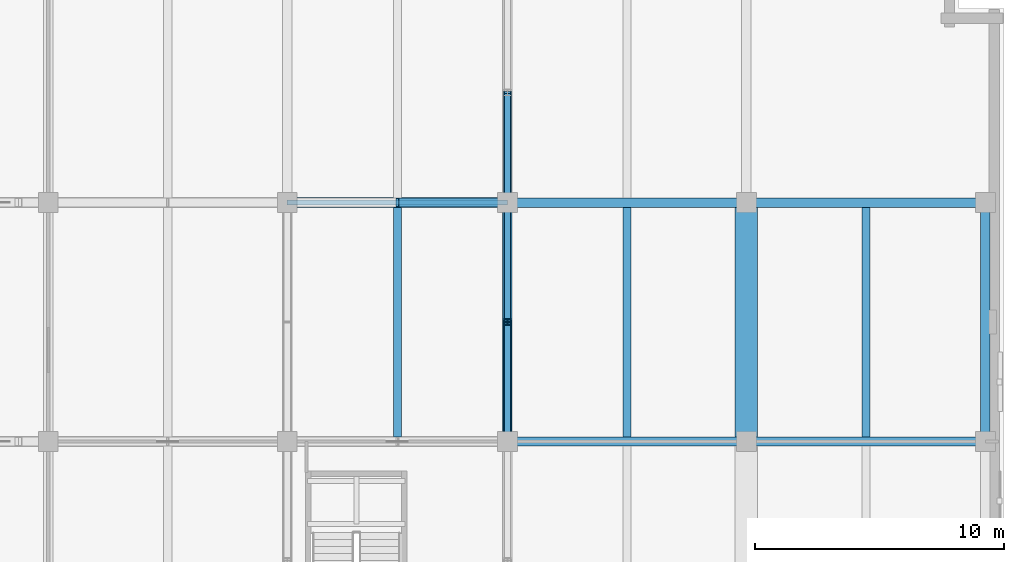
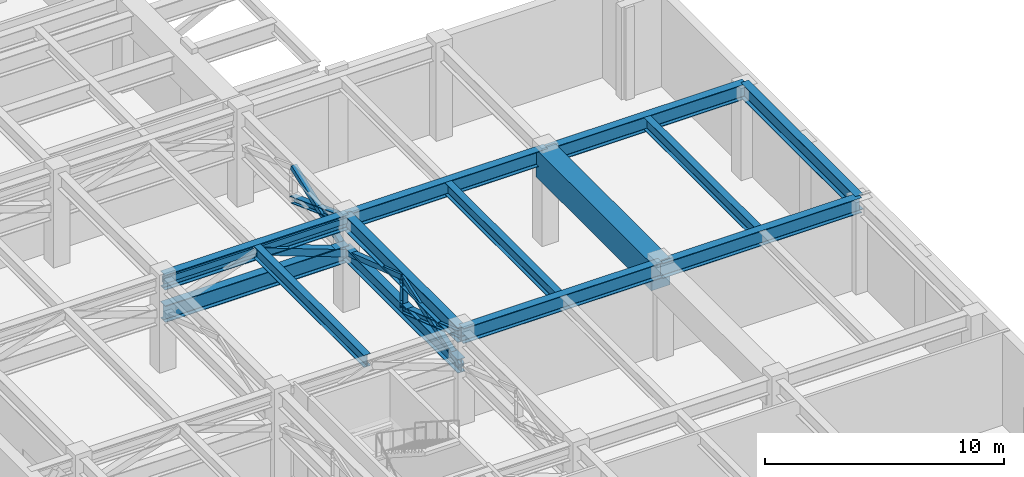
# One storey, part 5 of 19: 13 beams, 8 members.
"""IFC4 building model written with IfcOpenShell, lengths in metres."""

from ifc_helpers import new_model, si_unit, direction, frame, origin, origin_2d, place, context, subcontext, project, spatial, rectangle, hollow_rectangle, i_section, extrude, material, material_profile, profile_set, type_object, element, save


model = new_model("IFC4")

# Units and contexts
model_context = context("Model", 3, precision=1e-05, world=origin(), true_north=direction((0.0, 1.0)))
body_context = subcontext(model_context, "Body", "Model", "MODEL_VIEW")
ifc_project = project(units=[si_unit("LENGTHUNIT", "METRE"), si_unit("AREAUNIT", "SQUARE_METRE"), si_unit("VOLUMEUNIT", "CUBIC_METRE"), si_unit("PLANEANGLEUNIT", "RADIAN"), si_unit("MASSUNIT", "GRAM", prefix="KILO")], contexts=[model_context])

# Site, building, storey
site_placement = place(None, origin())
site = spatial("IfcSite", under=ifc_project, at=site_placement, CompositionType="ELEMENT")
building_placement = place(site_placement, origin())
building = spatial("IfcBuilding", under=site, at=building_placement, Name="Norrvale University Quadrangle", CompositionType="ELEMENT")
storey_placement = place(building_placement, frame((0.0, 0.0, 256.0)))
storey = spatial("IfcBuildingStorey", under=building, at=storey_placement, Name="L65", CompositionType="ELEMENT", Elevation=256.0)

# Beams
ifc_material_1 = material(Name="Steel 350W", Category="steel")
ifc_material_profile_1 = material_profile(ifc_material_1, i_section(OverallWidth=0.324951171875, OverallDepth=0.615966796875, WebThickness=0.013916015625, FlangeThickness=0.021484375, FilletRadius=0.01611328125, at=origin_2d()), Name="Steel 350W")
ifc_profile_set_1 = profile_set([ifc_material_profile_1], Name="Steel 350W")
beam_type_1 = type_object("IfcBeamType", Name="Beam Belt W610x174", PredefinedType="BEAM", material=ifc_profile_set_1)
for number, where, z_axis, x_axis, name in (
    (1, (33.22509765625, 19.390380859375, 4.431884765625), (0.0, 1.0, 0.0), (-1.0, 0.0, 0.0), "Beam Belt W610x174 BM-L65-J064"),
    (2, (42.449951171875, 19.390380859375, 4.431884765625), (0.0, 1.0, 0.0), (-1.0, 0.0, 0.0), "Beam Belt W610x174 BM-L65-J069"),
    (3, (52.050048828125, 19.390380859375, 4.39208984375), (0.0, 1.0, 0.0), (-1.0, 0.0, 0.0), "Beam Belt W610x174 BM-L65-J072"),
):
    element("IfcBeam", number, at=place(storey_placement, frame(where, z_axis=z_axis, x_axis=x_axis)), inside=storey, type_object=beam_type_1, Name=name, PredefinedType="BEAM", context=body_context, shape_type="SweptSolid", body=[
        extrude(i_section(OverallWidth=0.324951171875, OverallDepth=0.615966796875, WebThickness=0.013916015625, FlangeThickness=0.021484375, FilletRadius=0.01611328125, at=origin_2d()), origin(), (0.0, 0.0, 1.0), 9.21923828125),
    ])
ifc_material_profile_2 = material_profile(ifc_material_1, i_section(OverallWidth=0.35498046875, OverallDepth=0.695068359375, WebThickness=0.015380859375, FlangeThickness=0.02490234375, FilletRadius=0.01806640625, at=origin_2d()), Name="Steel 350W")
ifc_profile_set_2 = profile_set([ifc_material_profile_2], Name="Steel 350W")
beam_type_2 = type_object("IfcBeamType", Name="Beam Belt W690x217", PredefinedType="BEAM", material=ifc_profile_set_2)
beam_1_placement = place(storey_placement, frame((37.64990234375, 19.199951171875, 2.75), z_axis=(0.0, 1.0, 0.0), x_axis=(-1.0, 0.0, 0.0)))
element("IfcBeam", 4, at=beam_1_placement, inside=storey, type_object=beam_type_2, Name="Belt Truss Chord L65-02", PredefinedType="BEAM", context=body_context, shape_type="SweptSolid", body=[
    extrude(i_section(OverallWidth=0.35498046875, OverallDepth=0.695068359375, WebThickness=0.015380859375, FlangeThickness=0.02490234375, FilletRadius=0.01806640625, at=origin_2d()), origin(), (0.0, 0.0, 1.0), 9.60009765625),
])
ifc_material_profile_3 = material_profile(ifc_material_1, i_section(OverallWidth=0.381103515625, OverallDepth=0.77294921875, WebThickness=0.0166015625, FlangeThickness=0.027587890625, FilletRadius=0.02001953125, at=origin_2d()), Name="Steel 350W")
ifc_profile_set_3 = profile_set([ifc_material_profile_3], Name="Steel 350W")
beam_type_3 = type_object("IfcBeamType", Name="Beam Outrig W760x257", PredefinedType="BEAM", material=ifc_profile_set_3)
for number, where, z_axis, x_axis, name in (
    (5, (37.64990234375, 19.199951171875, 4.353515625), (1.0, 0.0, 0.0), (0.0, 1.0, 0.0), "Beam Outrig W760x257 BM-L65-GX011"),
    (6, (47.25, 19.199951171875, 4.3134765625), (1.0, 0.0, 0.0), (0.0, 1.0, 0.0), "Beam Outrig W760x257 BM-L65-GX012"),
):
    element("IfcBeam", number, at=place(storey_placement, frame(where, z_axis=z_axis, x_axis=x_axis)), inside=storey, type_object=beam_type_3, Name=name, PredefinedType="BEAM", context=body_context, shape_type="SweptSolid", body=[
        extrude(i_section(OverallWidth=0.381103515625, OverallDepth=0.77294921875, WebThickness=0.0166015625, FlangeThickness=0.027587890625, FilletRadius=0.02001953125, at=origin_2d()), origin(), (0.0, 0.0, 1.0), 9.60009765625),
    ])
beam_2_placement = place(storey_placement, frame((28.800048828125, 28.800048828125, 4.353515625), z_axis=(1.0, 0.0, 0.0), x_axis=(0.0, 1.0, 0.0)))
element("IfcBeam", 7, at=beam_2_placement, inside=storey, type_object=beam_type_3, Name="Beam Outrig W760x257 BM-L65-GX014", PredefinedType="BEAM", context=body_context, shape_type="SweptSolid", body=[
    extrude(i_section(OverallWidth=0.381103515625, OverallDepth=0.77294921875, WebThickness=0.0166015625, FlangeThickness=0.027587890625, FilletRadius=0.02001953125, at=origin_2d()), origin(), (0.0, 0.0, 1.0), 8.849853515625),
])
for number, where, z_axis, x_axis, name in (
    (8, (37.64990234375, 28.800048828125, 4.353515625), (1.0, 0.0, 0.0), (0.0, 1.0, 0.0), "Beam Outrig W760x257 BM-L65-GX015"),
    (9, (47.25, 28.800048828125, 4.3134765625), (1.0, 0.0, 0.0), (0.0, 1.0, 0.0), "Beam Outrig W760x257 BM-L65-GX016"),
    (10, (37.64990234375, 19.199951171875, 4.353515625), (0.0, 1.0, 0.0), (-1.0, 0.0, 0.0), "Beam Outrig W760x257 BM-L65-GY041"),
    (11, (56.85009765625, 19.199951171875, 4.3134765625), (0.0, 1.0, 0.0), (-1.0, 0.0, 0.0), "Beam Outrig W760x257 BM-L65-GY046"),
):
    element("IfcBeam", number, at=place(storey_placement, frame(where, z_axis=z_axis, x_axis=x_axis)), inside=storey, type_object=beam_type_3, Name=name, PredefinedType="BEAM", context=body_context, shape_type="SweptSolid", body=[
        extrude(i_section(OverallWidth=0.381103515625, OverallDepth=0.77294921875, WebThickness=0.0166015625, FlangeThickness=0.027587890625, FilletRadius=0.02001953125, at=origin_2d()), origin(), (0.0, 0.0, 1.0), 9.60009765625),
    ])
ifc_material_profile_4 = material_profile(ifc_material_1, i_section(OverallWidth=0.39990234375, OverallDepth=0.85498046875, WebThickness=0.018310546875, FlangeThickness=0.029296875, FilletRadius=0.02197265625, at=origin_2d()), Name="Steel 350W")
ifc_profile_set_4 = profile_set([ifc_material_profile_4], Name="Steel 350W")
beam_type_4 = type_object("IfcBeamType", Name="Beam Outrig W840x299", PredefinedType="BEAM", material=ifc_profile_set_4)
beam_3_placement = place(storey_placement, frame((28.800048828125, 28.800048828125, 2.75), z_axis=(1.0, 0.0, 0.0), x_axis=(0.0, 1.0, 0.0)))
element("IfcBeam", 12, at=beam_3_placement, inside=storey, type_object=beam_type_4, Name="Outrigger Bottom Chord L65-3.3", PredefinedType="BEAM", context=body_context, shape_type="SweptSolid", body=[
    extrude(i_section(OverallWidth=0.39990234375, OverallDepth=0.85498046875, WebThickness=0.018310546875, FlangeThickness=0.029296875, FilletRadius=0.02197265625, at=origin_2d()), origin(), (0.0, 0.0, 1.0), 8.849853515625),
])
ifc_material_2 = material(Name="Concrete C60/75", Category="concrete")
ifc_material_profile_5 = material_profile(ifc_material_2, rectangle(XDim=0.89990234375, YDim=1.39990234375, at=origin_2d()), Name="Concrete C60/75")
ifc_profile_set_5 = profile_set([ifc_material_profile_5], Name="Concrete C60/75")
beam_type_5 = type_object("IfcBeamType", Name="Beam Transfer 900x1400", PredefinedType="USERDEFINED", material=ifc_profile_set_5)
beam_4_placement = place(storey_placement, frame((47.25, 19.199951171875, 4.0400390625), z_axis=(0.0, 1.0, 0.0), x_axis=(-1.0, 0.0, 0.0)))
element("IfcBeam", 13, at=beam_4_placement, inside=storey, type_object=beam_type_5, Name="Setback Transfer Girder L65-24", ObjectType="TRANSFER GIRDER", PredefinedType="USERDEFINED", context=body_context, shape_type="SweptSolid", body=[
    extrude(rectangle(XDim=0.89990234375, YDim=1.39990234375, at=origin_2d()), origin(), (0.0, 0.0, 1.0), 9.60009765625),
])

# Members
ifc_material_profile_6 = material_profile(ifc_material_1, hollow_rectangle(XDim=0.25390625, YDim=0.25390625, WallThickness=0.012939453125, at=origin_2d()), Name="Steel 350W")
ifc_profile_set_6 = profile_set([ifc_material_profile_6], Name="Steel 350W")
member_type_1 = type_object("IfcMemberType", Name="Member Belt Diag HSS254", PredefinedType="BRACE", material=ifc_profile_set_6)
for number, where, z_axis, x_axis, name in (
    (14, (37.64990234375, 19.199951171875, 2.75), (0.0, 0.946298508087, 0.32329419047), (-1.0, 0.0, 0.0), "Belt Truss Brace L65-02A"),
    (15, (37.64990234375, 28.800048828125, 2.75), (0.0, -0.946298508087, 0.32329419047), (1.0, 0.0, 0.0), "Belt Truss Brace L65-02B"),
):
    element("IfcMember", number, at=place(storey_placement, frame(where, z_axis=z_axis, x_axis=x_axis)), inside=storey, type_object=member_type_1, Name=name, PredefinedType="BRACE", context=body_context, shape_type="SweptSolid", body=[
        extrude(hollow_rectangle(XDim=0.25390625, YDim=0.25390625, WallThickness=0.012939453125, at=origin_2d()), origin(), (0.0, 0.0, 1.0), 5.072509765625),
    ])
member_1_placement = place(storey_placement, frame((37.64990234375, 28.800048828125, 2.75), z_axis=(0.0, 0.937680720811, 0.347498008369), x_axis=(-1.0, 0.0, 0.0)))
element("IfcMember", 16, at=member_1_placement, inside=storey, type_object=member_type_1, Name="Belt Truss Brace L65-03A", PredefinedType="BRACE", context=body_context, shape_type="SweptSolid", body=[
    extrude(hollow_rectangle(XDim=0.25390625, YDim=0.25390625, WallThickness=0.012939453125, at=origin_2d()), origin(), (0.0, 0.0, 1.0), 4.71923828125),
])
ifc_material_profile_7 = material_profile(ifc_material_1, hollow_rectangle(XDim=0.202880859375, YDim=0.304931640625, WallThickness=0.012939453125, at=origin_2d()), Name="Steel 350W")
ifc_profile_set_7 = profile_set([ifc_material_profile_7], Name="Steel 350W")
member_type_2 = type_object("IfcMemberType", Name="Member Chord HSS305x203", PredefinedType="CHORD", material=ifc_profile_set_7)
member_2_placement = place(storey_placement, frame((28.800048828125, 28.800048828125, 4.389892578125), z_axis=(1.0, 0.0, 0.0), x_axis=(0.0, 1.0, 0.0)))
element("IfcMember", 17, at=member_2_placement, inside=storey, type_object=member_type_2, Name="Outrigger Top Chord L65-3.3", PredefinedType="CHORD", context=body_context, shape_type="SweptSolid", body=[
    extrude(hollow_rectangle(XDim=0.202880859375, YDim=0.304931640625, WallThickness=0.012939453125, at=origin_2d()), origin(), (0.0, 0.0, 1.0), 8.849853515625),
])
ifc_material_profile_8 = material_profile(ifc_material_1, hollow_rectangle(XDim=0.35595703125, YDim=0.35595703125, WallThickness=0.01611328125, at=origin_2d()), Name="Steel 350W")
ifc_profile_set_8 = profile_set([ifc_material_profile_8], Name="Steel 350W")
member_type_3 = type_object("IfcMemberType", Name="Member Outrig Diag HSS356", PredefinedType="BRACE", material=ifc_profile_set_8)
member_3_placement = place(storey_placement, frame((37.64990234375, 28.800048828125, 2.75), z_axis=(-0.937674473211, 0.0, 0.347514866285), x_axis=(0.0, -1.0, 0.0)))
element("IfcMember", 18, at=member_3_placement, inside=storey, type_object=member_type_3, Name="Outrigger Truss Diagonal L65-3.3B", PredefinedType="BRACE", context=body_context, shape_type="SweptSolid", body=[
    extrude(hollow_rectangle(XDim=0.35595703125, YDim=0.35595703125, WallThickness=0.01611328125, at=origin_2d()), origin(), (0.0, 0.0, 1.0), 4.718994140625),
])
ifc_material_profile_9 = material_profile(ifc_material_1, i_section(OverallWidth=0.25390625, OverallDepth=0.2529296875, WebThickness=0.008544921875, FlangeThickness=0.01416015625, FilletRadius=0.011962890625, at=origin_2d()), Name="Steel 350W")
ifc_profile_set_9 = profile_set([ifc_material_profile_9], Name="Steel 350W")
member_type_4 = type_object("IfcMemberType", Name="Member Post W250x73", PredefinedType="POST", material=ifc_profile_set_9)
member_4_placement = place(storey_placement, frame((37.64990234375, 24.0, 2.75), z_axis=(0.0, 0.0, 1.0), x_axis=(1.0, 0.0, 0.0)))
element("IfcMember", 19, at=member_4_placement, inside=storey, type_object=member_type_4, Name="Belt Truss Post L65-02", PredefinedType="POST", context=body_context, shape_type="SweptSolid", body=[
    extrude(i_section(OverallWidth=0.25390625, OverallDepth=0.2529296875, WebThickness=0.008544921875, FlangeThickness=0.01416015625, FilletRadius=0.011962890625, at=origin_2d()), origin(), (0.0, 0.0, 1.0), 1.639892578125),
])
ifc_material_profile_10 = material_profile(ifc_material_1, i_section(OverallWidth=0.30908203125, OverallDepth=0.322998046875, WebThickness=0.01318359375, FlangeThickness=0.02294921875, FilletRadius=0.014892578125, at=origin_2d()), Name="Steel 350W")
ifc_profile_set_10 = profile_set([ifc_material_profile_10], Name="Steel 350W")
member_type_5 = type_object("IfcMemberType", Name="Member Tie W310x143", PredefinedType="BRACE", material=ifc_profile_set_10)
member_5_placement = place(storey_placement, frame((37.64990234375, 19.199951171875, 4.389892578125), z_axis=(0.0, 0.946298508087, -0.32329419047), x_axis=(-1.0, 0.0, 0.0)))
element("IfcMember", 20, at=member_5_placement, inside=storey, type_object=member_type_5, Name="Belt Truss Tie Brace L65-02", PredefinedType="BRACE", context=body_context, shape_type="SweptSolid", body=[
    extrude(i_section(OverallWidth=0.30908203125, OverallDepth=0.322998046875, WebThickness=0.01318359375, FlangeThickness=0.02294921875, FilletRadius=0.014892578125, at=origin_2d()), origin(), (0.0, 0.0, 1.0), 5.072509765625),
])
member_6_placement = place(storey_placement, frame((37.64990234375, 28.800048828125, 4.389892578125), z_axis=(0.0, 0.937680720811, -0.347498008369), x_axis=(-1.0, 0.0, 0.0)))
element("IfcMember", 21, at=member_6_placement, inside=storey, type_object=member_type_5, Name="Belt Truss Tie Brace L65-03", PredefinedType="BRACE", context=body_context, shape_type="SweptSolid", body=[
    extrude(i_section(OverallWidth=0.30908203125, OverallDepth=0.322998046875, WebThickness=0.01318359375, FlangeThickness=0.02294921875, FilletRadius=0.014892578125, at=origin_2d()), origin(), (0.0, 0.0, 1.0), 4.71923828125),
])

save(model, "model.ifc")
